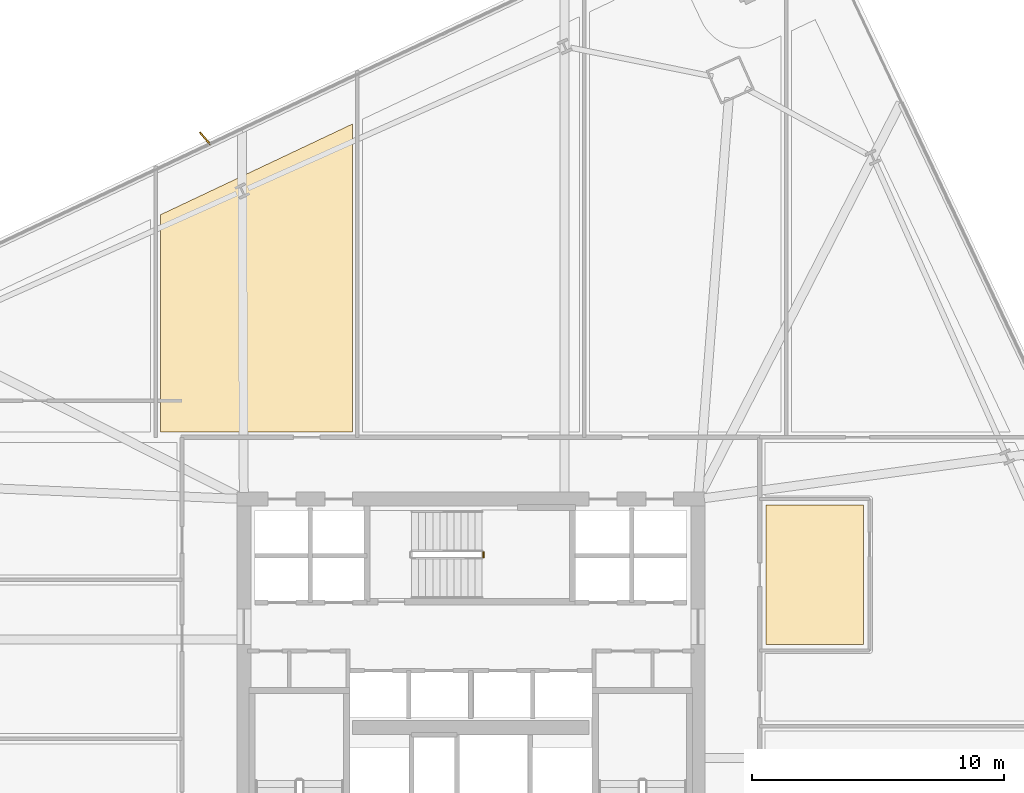
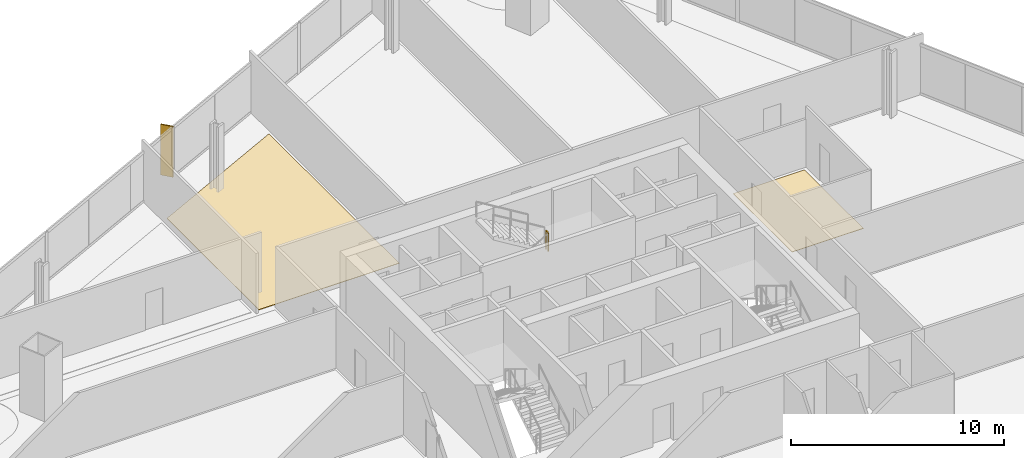
# One storey, part 33 of 34: 2 coverings, 1 railing, 1 shading device.
"""IFC4 building model written with IfcOpenShell, lengths in metres."""

from ifc_helpers import new_model, si_unit, direction, frame, origin, origin_2d, place, context, subcontext, project, spatial, polyline, rectangle, outline, extrude, source, transform, mapped, material, layer, layer_set, type_object, element, save


model = new_model("IFC4")

# Units and contexts
model_context = context("Model", 3, precision=1e-05, world=origin(), true_north=direction((0.0, 1.0)))
body_context = subcontext(model_context, "Body", "Model", "MODEL_VIEW")
ifc_project = project(units=[si_unit("LENGTHUNIT", "METRE"), si_unit("AREAUNIT", "SQUARE_METRE"), si_unit("VOLUMEUNIT", "CUBIC_METRE"), si_unit("PLANEANGLEUNIT", "RADIAN"), si_unit("MASSUNIT", "GRAM", prefix="KILO")], contexts=[model_context])

# Site, building, storey
site_placement = place(None, origin())
site = spatial("IfcSite", under=ifc_project, at=site_placement, CompositionType="ELEMENT")
building_placement = place(site_placement, origin())
building = spatial("IfcBuilding", under=site, at=building_placement, Name="Haldenkirk Collegiate Tower", CompositionType="ELEMENT")
storey_placement = place(building_placement, frame((0.0, 0.0, 112.949951171875)))
storey = spatial("IfcBuildingStorey", under=building, at=storey_placement, Name="L27", CompositionType="ELEMENT", Elevation=112.949951171875)

# Coverings
ifc_material_1 = material(Name="Engineered collegiate oak acoustic flooring", Category="wood")
ifc_layer_1 = layer(ifc_material_1, 0.02197265625)
ifc_layer_set_1 = layer_set([ifc_layer_1], Name="Engineered collegiate oak acoustic flooring")
covering_type = type_object("IfcCoveringType", Name="COV-FLOOR-TIMBER", PredefinedType="FLOORING", material=ifc_layer_set_1)
covering_1_placement = place(storey_placement, origin())
element("IfcCovering", 1, at=covering_1_placement, inside=storey, type_object=covering_type, Name="L27 academic room finish 01", PredefinedType="FLOORING", context=body_context, shape_type="SweptSolid", body=[
    extrude(outline(polyline([(47.699951171875, 28.239990234375), (47.699951171875, 33.760009765625), (51.56005859375, 33.760009765625), (51.56005859375, 28.239990234375), (47.699951171875, 28.239990234375)])), origin(), (0.0, 0.0, 1.0), 0.02197265625),
])
covering_2_placement = place(storey_placement, origin())
element("IfcCovering", 2, at=covering_2_placement, inside=storey, type_object=covering_type, Name="L27 academic room finish 05", PredefinedType="FLOORING", context=body_context, shape_type="SweptSolid", body=[
    extrude(outline(polyline([(31.300048828125, 48.864501953125), (31.300048828125, 36.64990234375), (23.699951171875, 36.64990234375), (23.699951171875, 45.27197265625), (31.300048828125, 48.864501953125)])), origin(), (0.0, 0.0, 1.0), 0.02197265625),
])

# Railing
ifc_material_2 = material(Name="Painted architectural tubular steel", Category="steel")
railing_type = type_object("IfcRailingType", Name="RLG-STAIR-GUARD-1100", PredefinedType="BALUSTRADE", material=ifc_material_2)
railing_placement = place(storey_placement, frame((36.5, 31.699951171875, 1.875)))
element("IfcRailing", 3, at=railing_placement, inside=storey, type_object=railing_type, Name="L27 ST-3 stair guard 2", PredefinedType="BALUSTRADE", context=body_context, shape_type="SweptSolid", body=[
    extrude(rectangle(XDim=0.048095703125, YDim=0.048095703125, at=origin_2d()), frame((0.0, 0.0, 1.076171875), z_axis=(0.0, 1.0, 0.0), x_axis=(-1.0, 0.0, 0.0)), (0.0, 0.0, 1.0), 0.199951171875),
    extrude(rectangle(XDim=0.0419921875, YDim=0.0419921875, at=origin_2d()), origin(), (0.0, 0.0, 1.0), 1.052001953125),
    extrude(rectangle(XDim=0.0419921875, YDim=0.0419921875, at=origin_2d()), frame((0.0, 0.199951171875, 0.0)), (0.0, 0.0, 1.0), 1.052001953125),
])

# Shading device
ifc_material_3 = material(Name="Anodised architectural bronze aluminium", Category="aluminium")
ifc_layer_2 = layer(ifc_material_3, 0.06494140625)
ifc_layer_set_2 = layer_set([ifc_layer_2], Name="Anodised architectural bronze aluminium")
shading_device_type = type_object("IfcShadingDeviceType", Name="SHD-FIN-BRONZE-620", PredefinedType="USERDEFINED", material=ifc_layer_set_2)
shared_shape = source(origin(), body_context, "Body", "SweptSolid", [
    extrude(rectangle(XDim=0.6201171875, YDim=0.06494140625, at=origin_2d()), origin(), (0.0, 0.0, 1.0), 2.90087890625),
])
shading_device_placement = place(storey_placement, frame((25.459228515625, 48.29931640625, 0.0), z_axis=(0.0, 0.0, 1.0), x_axis=(-0.660001667961, 0.751264133504, 0.0)))
element("IfcShadingDevice", 4, at=shading_device_placement, inside=storey, type_object=shading_device_type, Name="L27 folded bronze solar fin 1", ObjectType="FIN", PredefinedType="USERDEFINED", context=body_context, shape_type="MappedRepresentation", body=[
    mapped(shared_shape, transform((0.0, 0.0, 0.0), x_axis=(1.0, 0.0, 0.0), y_axis=(0.0, 1.0, 0.0), z_axis=(0.0, 0.0, 1.0), scale=1.0)),
])

save(model, "model.ifc")
